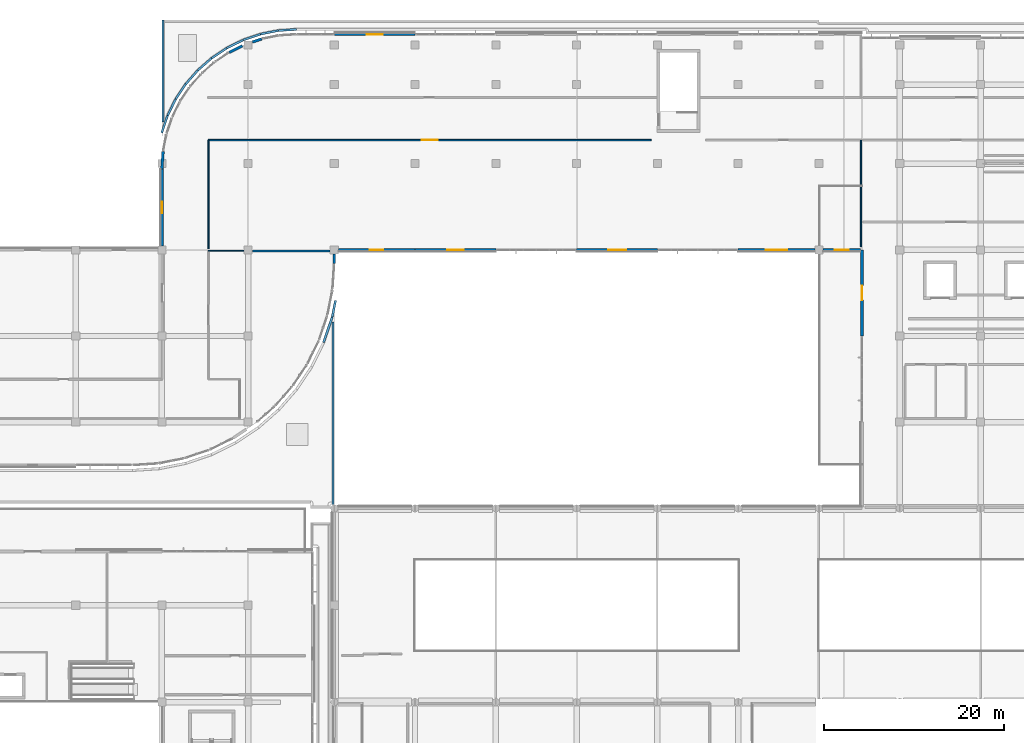
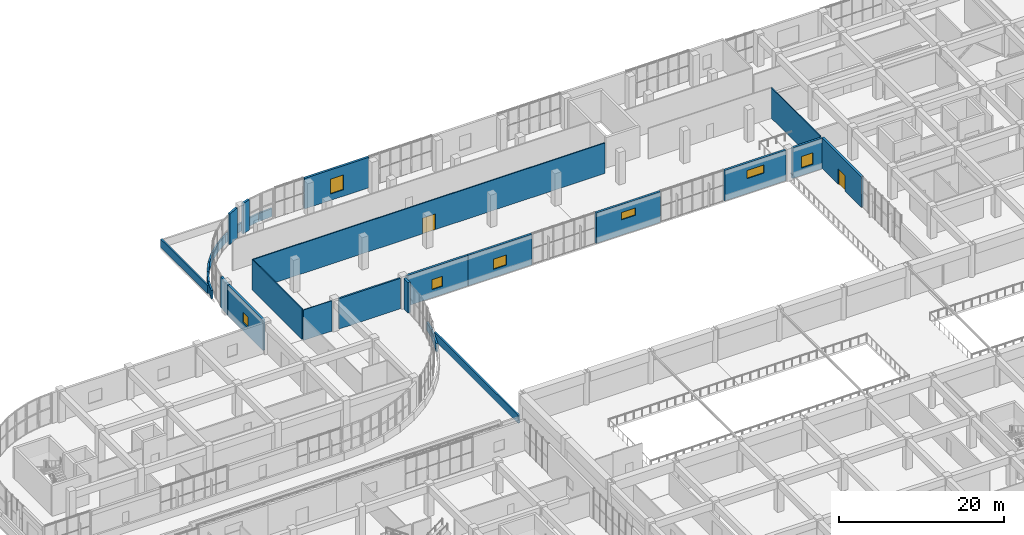
# One storey, part 69 of 96: 31 walls, 7 windows, 2 doors, 9 openings.
"""IFC4 building model written with IfcOpenShell, lengths in metres."""

from ifc_helpers import new_model, si_unit, direction, frame, frame_2d, origin, place, context, subcontext, project, spatial, rectangle, extrude, material, layer, layer_set, type_object, element, fill, save


model = new_model("IFC4")

# Units and contexts
model_context = context("Model", 3, precision=1e-05, world=origin(), true_north=direction((0.0, 1.0)))
body_context = subcontext(model_context, "Body", "Model", "MODEL_VIEW")
ifc_project = project(units=[si_unit("LENGTHUNIT", "METRE"), si_unit("AREAUNIT", "SQUARE_METRE"), si_unit("VOLUMEUNIT", "CUBIC_METRE"), si_unit("PLANEANGLEUNIT", "RADIAN"), si_unit("MASSUNIT", "GRAM", prefix="KILO")], contexts=[model_context])

# Site, building, storey
site_placement = place(None, origin())
site = spatial("IfcSite", under=ifc_project, at=site_placement, CompositionType="ELEMENT")
building_placement = place(site_placement, origin())
building = spatial("IfcBuilding", under=site, at=building_placement, Name="Cendralis Terraced Arcade", CompositionType="ELEMENT")
storey_placement = place(building_placement, frame((0.0, 0.0, 10.199951171875)))
storey = spatial("IfcBuildingStorey", under=building, at=storey_placement, Name="L02", CompositionType="ELEMENT", Elevation=10.199951171875)

# Wall
ifc_material_1 = material(Name="Autoclaved aerated concrete blockwork", Category="masonry")
ifc_layer_1 = layer(ifc_material_1, 0.22802734375, Name="WL-ACOU-228")
ifc_layer_set_1 = layer_set([ifc_layer_1], Name="Autoclaved aerated concrete blockwork")
wall_type_1 = type_object("IfcWallType", Name="WL-ACOU-228", PredefinedType="PARTITIONING", material=ifc_layer_set_1)
wall_1_placement = place(storey_placement, frame((58.070068359375, 88.679931640625, 0.0), z_axis=(0.0, 0.0, 1.0), x_axis=(1.0, 0.0, 0.0)))
element("IfcWall", 1, at=wall_1_placement, inside=storey, type_object=wall_type_1, Name="Interior Partition Wall IW-L02-0462", PredefinedType="PARTITIONING", context=body_context, shape_type="SweptSolid", body=[
    extrude(rectangle(XDim=8.659912109375, YDim=0.22802734375, at=frame_2d((4.330078125, 0.0))), origin(), (0.0, 0.0, 1.0), 4.51513671875),
])

# Wall, opening, door
ifc_material_2 = material(Name="Precast concrete f'c 40 MPa", Category="concrete")
ifc_layer_2 = layer(ifc_material_2, 0.300048828125, Name="WL-EXT-GRC-300")
ifc_layer_set_2 = layer_set([ifc_layer_2], Name="Precast concrete f'c 40 MPa")
wall_type_2 = type_object("IfcWallType", Name="WL-EXT-GRC-300", PredefinedType="SOLIDWALL", material=ifc_layer_set_2)
wall_2_placement = place(storey_placement, frame((126.0, 79.199951171875, 0.0), z_axis=(0.0, 0.0, 1.0), x_axis=(0.0, 1.0, 0.0)))
wall_2 = element("IfcWall", 2, at=wall_2_placement, inside=storey, type_object=wall_type_2, Name="Exterior Architectural Wall EW-L02-0161", PredefinedType="SOLIDWALL", context=body_context, shape_type="SweptSolid", body=[
    extrude(rectangle(XDim=9.60009765625, YDim=0.300048828125, at=frame_2d((4.800048828125, 0.0))), origin(), (0.0, 0.0, 1.0), 4.51513671875),
])
opening_1_placement = place(wall_2_placement, frame((4.0, 0.0, 0.0)))
opening_1 = element("IfcOpeningElement", 3, at=opening_1_placement, cuts=wall_2, Name="Opening TD-L02-03", PredefinedType="OPENING", context=body_context, shape_type="SweptSolid", body=[
    extrude(rectangle(XDim=1.60009765625, YDim=2.300048828125, at=frame_2d((0.800048828125, 1.14990234375))), frame((0.0, 0.162109375, 0.0), z_axis=(0.0, -1.0, 0.0), x_axis=(1.0, 0.0, 0.0)), (0.0, 0.0, 1.0), 0.323974609375),
])
ifc_material_3 = material(Name="Powder-coated thermally broken aluminium and glass", Category="aluminium")
door_type_1 = type_object("IfcDoorType", Name="ED-TER-1600x2300", OperationType="DOUBLE_DOOR_SINGLE_SWING", PredefinedType="DOOR", material=ifc_material_3)
door_1_placement = place(opening_1_placement, origin())
door_1 = element("IfcDoor", 4, at=door_1_placement, inside=storey, type_object=door_type_1, Name="Planted Terrace Access Door TD-L02-03", OperationType="DOUBLE_DOOR_SINGLE_SWING", OverallHeight=2.300048828125, OverallWidth=1.60009765625, PredefinedType="DOOR", context=body_context, shape_type="SweptSolid", body=[
    extrude(rectangle(XDim=1.60009765625, YDim=2.300048828125, at=frame_2d((0.800048828125, 1.14990234375))), frame((0.0, 0.02490234375, 0.0), z_axis=(0.0, -1.0, 0.0), x_axis=(1.0, 0.0, 0.0)), (0.0, 0.0, 1.0), 0.050048828125),
])
fill(opening_1, door_1)

# Wall, opening, window
wall_3_placement = place(storey_placement, frame((125.830078125, 88.800048828125, 0.0), z_axis=(0.0, 0.0, 1.0), x_axis=(-1.0, 0.0, 0.0)))
wall_3 = element("IfcWall", 5, at=wall_3_placement, inside=storey, type_object=wall_type_2, Name="Exterior Architectural Wall EW-L02-0162", PredefinedType="SOLIDWALL", context=body_context, shape_type="SweptSolid", body=[
    extrude(rectangle(XDim=4.18212890625, YDim=0.300048828125, at=frame_2d((2.091064453125, 0.0))), origin(), (0.0, 0.0, 1.0), 4.51513671875),
])
opening_2_placement = place(wall_3_placement, frame((1.291015625, 0.0, 1.10009765625)))
opening_2 = element("IfcOpeningElement", 6, at=opening_2_placement, cuts=wall_3, Name="Opening W-28", PredefinedType="OPENING", context=body_context, shape_type="SweptSolid", body=[
    extrude(rectangle(XDim=1.60009765625, YDim=1.699951171875, at=frame_2d((0.800048828125, 0.85009765625))), frame((0.0, 0.162109375, 0.0), z_axis=(0.0, -1.0, 0.0), x_axis=(1.0, 0.0, 0.0)), (0.0, 0.0, 1.0), 0.323974609375),
])
ifc_material_4 = material(Name="Tempered solar control laminated glass", Category="glass")
window_type_1 = type_object("IfcWindowType", Name="WN-F3-1600x1700", PartitioningType="SINGLE_PANEL", PredefinedType="WINDOW", material=ifc_material_4)
window_1_placement = place(opening_2_placement, origin())
window_1 = element("IfcWindow", 7, at=window_1_placement, inside=storey, type_object=window_type_1, Name="Exterior Solar-Control Window WN-L02-0103", OverallHeight=1.699951171875, OverallWidth=1.60009765625, PartitioningType="SINGLE_PANEL", PredefinedType="WINDOW", context=body_context, shape_type="SweptSolid", body=[
    extrude(rectangle(XDim=1.60009765625, YDim=1.699951171875, at=frame_2d((0.800048828125, 0.85009765625))), frame((0.0, 0.030029296875, 0.0), z_axis=(0.0, -1.0, 0.0), x_axis=(1.0, 0.0, 0.0)), (0.0, 0.0, 1.0), 0.06005859375),
])
fill(opening_2, window_1)

wall_4_placement = place(storey_placement, frame((120.751953125, 88.800048828125, 0.0), z_axis=(0.0, 0.0, 1.0), x_axis=(-1.0, 0.0, 0.0)))
wall_4 = element("IfcWall", 8, at=wall_4_placement, inside=storey, type_object=wall_type_2, Name="Exterior Architectural Wall EW-L02-0163", PredefinedType="SOLIDWALL", context=body_context, shape_type="SweptSolid", body=[
    extrude(rectangle(XDim=8.552001953125, YDim=0.300048828125, at=frame_2d((4.27587890625, 0.0))), origin(), (0.0, 0.0, 1.0), 4.51513671875),
])
opening_3_placement = place(wall_4_placement, frame((3.075927734375, 0.0, 2.199951171875)))
opening_3 = element("IfcOpeningElement", 9, at=opening_3_placement, cuts=wall_4, Name="Opening W-17", PredefinedType="OPENING", context=body_context, shape_type="SweptSolid", body=[
    extrude(rectangle(XDim=2.39990234375, YDim=1.199951171875, at=frame_2d((1.199951171875, 0.60009765625))), frame((0.0, 0.162109375, 0.0), z_axis=(0.0, -1.0, 0.0), x_axis=(1.0, 0.0, 0.0)), (0.0, 0.0, 1.0), 0.323974609375),
])
window_type_2 = type_object("IfcWindowType", Name="WN-CL-2400x1200", PartitioningType="SINGLE_PANEL", PredefinedType="WINDOW", material=ifc_material_4)
window_2_placement = place(opening_3_placement, origin())
window_2 = element("IfcWindow", 10, at=window_2_placement, inside=storey, type_object=window_type_2, Name="Exterior Solar-Control Window WN-L02-0104", OverallHeight=1.199951171875, OverallWidth=2.39990234375, PartitioningType="SINGLE_PANEL", PredefinedType="WINDOW", context=body_context, shape_type="SweptSolid", body=[
    extrude(rectangle(XDim=2.39990234375, YDim=1.199951171875, at=frame_2d((1.199951171875, 0.60009765625))), frame((0.0, 0.030029296875, 0.0), z_axis=(0.0, -1.0, 0.0), x_axis=(1.0, 0.0, 0.0)), (0.0, 0.0, 1.0), 0.06005859375),
])
fill(opening_3, window_2)

wall_5_placement = place(storey_placement, frame((103.199951171875, 88.800048828125, 0.0), z_axis=(0.0, 0.0, 1.0), x_axis=(-1.0, 0.0, 0.0)))
wall_5 = element("IfcWall", 11, at=wall_5_placement, inside=storey, type_object=wall_type_2, Name="Exterior Architectural Wall EW-L02-0164", PredefinedType="SOLIDWALL", context=body_context, shape_type="SweptSolid", body=[
    extrude(rectangle(XDim=9.0, YDim=0.300048828125, at=frame_2d((4.5, 0.0))), origin(), (0.0, 0.0, 1.0), 4.51513671875),
])
opening_4_placement = place(wall_5_placement, frame((3.5, 0.0, 2.25)))
opening_4 = element("IfcOpeningElement", 12, at=opening_4_placement, cuts=wall_5, Name="Opening W-18", PredefinedType="OPENING", context=body_context, shape_type="SweptSolid", body=[
    extrude(rectangle(XDim=2.0, YDim=1.10009765625, at=frame_2d((1.0, 0.550048828125))), frame((0.0, 0.162109375, 0.0), z_axis=(0.0, -1.0, 0.0), x_axis=(1.0, 0.0, 0.0)), (0.0, 0.0, 1.0), 0.323974609375),
])
window_type_3 = type_object("IfcWindowType", Name="WN-CL-2000x1100", PartitioningType="SINGLE_PANEL", PredefinedType="WINDOW", material=ifc_material_4)
window_3_placement = place(opening_4_placement, origin())
window_3 = element("IfcWindow", 13, at=window_3_placement, inside=storey, type_object=window_type_3, Name="Exterior Solar-Control Window WN-L02-0105", OverallHeight=1.10009765625, OverallWidth=2.0, PartitioningType="SINGLE_PANEL", PredefinedType="WINDOW", context=body_context, shape_type="SweptSolid", body=[
    extrude(rectangle(XDim=2.0, YDim=1.10009765625, at=frame_2d((1.0, 0.550048828125))), frame((0.0, 0.030029296875, 0.0), z_axis=(0.0, -1.0, 0.0), x_axis=(1.0, 0.0, 0.0)), (0.0, 0.0, 1.0), 0.06005859375),
])
fill(opening_4, window_3)

wall_6_placement = place(storey_placement, frame((85.199951171875, 88.800048828125, 0.0), z_axis=(0.0, 0.0, 1.0), x_axis=(-1.0, 0.0, 0.0)))
wall_6 = element("IfcWall", 14, at=wall_6_placement, inside=storey, type_object=wall_type_2, Name="Exterior Architectural Wall EW-L02-0165", PredefinedType="SOLIDWALL", context=body_context, shape_type="SweptSolid", body=[
    extrude(rectangle(XDim=9.0, YDim=0.300048828125, at=frame_2d((4.5, 0.0))), origin(), (0.0, 0.0, 1.0), 4.51513671875),
])
opening_5_placement = place(wall_6_placement, frame((3.60009765625, 0.0, 1.199951171875)))
opening_5 = element("IfcOpeningElement", 15, at=opening_5_placement, cuts=wall_6, Name="Opening W-19", PredefinedType="OPENING", context=body_context, shape_type="SweptSolid", body=[
    extrude(rectangle(XDim=1.800048828125, YDim=1.5, at=frame_2d((0.89990234375, 0.75))), frame((0.0, 0.162109375, 0.0), z_axis=(0.0, -1.0, 0.0), x_axis=(1.0, 0.0, 0.0)), (0.0, 0.0, 1.0), 0.323974609375),
])
window_type_4 = type_object("IfcWindowType", Name="WN-BOH-1800x1500", PartitioningType="SINGLE_PANEL", PredefinedType="WINDOW", material=ifc_material_4)
window_4_placement = place(opening_5_placement, origin())
window_4 = element("IfcWindow", 16, at=window_4_placement, inside=storey, type_object=window_type_4, Name="Exterior Solar-Control Window WN-L02-0106", OverallHeight=1.5, OverallWidth=1.800048828125, PartitioningType="SINGLE_PANEL", PredefinedType="WINDOW", context=body_context, shape_type="SweptSolid", body=[
    extrude(rectangle(XDim=1.800048828125, YDim=1.5, at=frame_2d((0.89990234375, 0.75))), frame((0.0, 0.030029296875, 0.0), z_axis=(0.0, -1.0, 0.0), x_axis=(1.0, 0.0, 0.0)), (0.0, 0.0, 1.0), 0.06005859375),
])
fill(opening_5, window_4)

wall_7_placement = place(storey_placement, frame((76.199951171875, 88.800048828125, 0.0), z_axis=(0.0, 0.0, 1.0), x_axis=(-1.0, 0.0, 0.0)))
wall_7 = element("IfcWall", 17, at=wall_7_placement, inside=storey, type_object=wall_type_2, Name="Exterior Architectural Wall EW-L02-0166", PredefinedType="SOLIDWALL", context=body_context, shape_type="SweptSolid", body=[
    extrude(rectangle(XDim=8.552001953125, YDim=0.300048828125, at=frame_2d((4.27587890625, 0.0))), origin(), (0.0, 0.0, 1.0), 4.51513671875),
])
opening_6_placement = place(wall_7_placement, frame((3.52587890625, 0.0, 1.199951171875)))
opening_6 = element("IfcOpeningElement", 18, at=opening_6_placement, cuts=wall_7, Name="Opening W-20", PredefinedType="OPENING", context=body_context, shape_type="SweptSolid", body=[
    extrude(rectangle(XDim=1.5, YDim=1.5, at=frame_2d((0.75, 0.75))), frame((0.0, 0.162109375, 0.0), z_axis=(0.0, -1.0, 0.0), x_axis=(1.0, 0.0, 0.0)), (0.0, 0.0, 1.0), 0.323974609375),
])
window_type_5 = type_object("IfcWindowType", Name="WN-BOH-1500x1500", PartitioningType="SINGLE_PANEL", PredefinedType="WINDOW", material=ifc_material_4)
window_5_placement = place(opening_6_placement, origin())
window_5 = element("IfcWindow", 19, at=window_5_placement, inside=storey, type_object=window_type_5, Name="Exterior Solar-Control Window WN-L02-0107", OverallHeight=1.5, OverallWidth=1.5, PartitioningType="SINGLE_PANEL", PredefinedType="WINDOW", context=body_context, shape_type="SweptSolid", body=[
    extrude(rectangle(XDim=1.5, YDim=1.5, at=frame_2d((0.75, 0.75))), frame((0.0, 0.030029296875, 0.0), z_axis=(0.0, -1.0, 0.0), x_axis=(1.0, 0.0, 0.0)), (0.0, 0.0, 1.0), 0.06005859375),
])
fill(opening_6, window_5)

# Wall
wall_8_placement = place(storey_placement, frame((67.199951171875, 88.35205078125, 0.0), z_axis=(0.0, 0.0, 1.0), x_axis=(0.0, -1.0, 0.0)))
element("IfcWall", 20, at=wall_8_placement, inside=storey, type_object=wall_type_2, Name="Exterior Architectural Wall EW-L02-0167", PredefinedType="SOLIDWALL", context=body_context, shape_type="SweptSolid", body=[
    extrude(rectangle(XDim=1.052001953125, YDim=0.300048828125, at=frame_2d((0.52587890625, 0.0))), origin(), (0.0, 0.0, 1.0), 4.51513671875),
])

# Wall, opening, window
wall_9_placement = place(storey_placement, frame((48.0, 89.248046875, 0.0), z_axis=(0.0, 0.0, 1.0), x_axis=(0.0, 1.0, 0.0)))
wall_9 = element("IfcWall", 21, at=wall_9_placement, inside=storey, type_object=wall_type_2, Name="Exterior Architectural Wall EW-L02-0176", PredefinedType="SOLIDWALL", context=body_context, shape_type="SweptSolid", body=[
    extrude(rectangle(XDim=8.552001953125, YDim=0.300048828125, at=frame_2d((4.27587890625, 0.0))), origin(), (0.0, 0.0, 1.0), 4.51513671875),
])
opening_7_placement = place(wall_9_placement, frame((3.65087890625, 0.0, 1.199951171875)))
opening_7 = element("IfcOpeningElement", 22, at=opening_7_placement, cuts=wall_9, Name="Opening W-30", PredefinedType="OPENING", context=body_context, shape_type="SweptSolid", body=[
    extrude(rectangle(XDim=1.25, YDim=1.550048828125, at=frame_2d((0.625, 0.77490234375))), frame((0.0, 0.162109375, 0.0), z_axis=(0.0, -1.0, 0.0), x_axis=(1.0, 0.0, 0.0)), (0.0, 0.0, 1.0), 0.323974609375),
])
window_type_6 = type_object("IfcWindowType", Name="WN-F3-1250x1550", PartitioningType="SINGLE_PANEL", PredefinedType="WINDOW", material=ifc_material_4)
window_6_placement = place(opening_7_placement, origin())
window_6 = element("IfcWindow", 23, at=window_6_placement, inside=storey, type_object=window_type_6, Name="Exterior Solar-Control Window WN-L02-0114", OverallHeight=1.550048828125, OverallWidth=1.25, PartitioningType="SINGLE_PANEL", PredefinedType="WINDOW", context=body_context, shape_type="SweptSolid", body=[
    extrude(rectangle(XDim=1.25, YDim=1.550048828125, at=frame_2d((0.625, 0.77490234375))), frame((0.0, 0.030029296875, 0.0), z_axis=(0.0, -1.0, 0.0), x_axis=(1.0, 0.0, 0.0)), (0.0, 0.0, 1.0), 0.06005859375),
])
fill(opening_7, window_6)

# Walls
wall_10_placement = place(storey_placement, frame((48.0, 97.800048828125, 0.0), z_axis=(0.0, 0.0, 1.0), x_axis=(0.065453554619, 0.997855616904, 0.0)))
element("IfcWall", 24, at=wall_10_placement, inside=storey, type_object=wall_type_2, Name="Exterior Architectural Wall EW-L02-0177", PredefinedType="SOLIDWALL", context=body_context, shape_type="SweptSolid", body=[
    extrude(rectangle(XDim=1.9619140625, YDim=0.300048828125, at=frame_2d((0.98095703125, 0.0))), origin(), (0.0, 0.0, 1.0), 4.51513671875),
])
wall_11_placement = place(storey_placement, frame((55.5, 110.790283203125, 0.0), z_axis=(0.0, 0.0, 1.0), x_axis=(0.896853892001, 0.442326911234, 0.0)))
element("IfcWall", 25, at=wall_11_placement, inside=storey, type_object=wall_type_2, Name="Exterior Architectural Wall EW-L02-0178", PredefinedType="SOLIDWALL", context=body_context, shape_type="SweptSolid", body=[
    extrude(rectangle(XDim=1.640869140625, YDim=0.300048828125, at=frame_2d((0.8203125, 0.0))), origin(), (0.0, 0.0, 1.0), 4.51513671875),
])
wall_12_placement = place(storey_placement, frame((58.085693359375, 111.938720703125, 0.0), z_axis=(0.0, 0.0, 1.0), x_axis=(0.946989654792, 0.321264056061, 0.0)))
element("IfcWall", 26, at=wall_12_placement, inside=storey, type_object=wall_type_2, Name="Exterior Architectural Wall EW-L02-0179", PredefinedType="SOLIDWALL", context=body_context, shape_type="SweptSolid", body=[
    extrude(rectangle(XDim=1.08984375, YDim=0.300048828125, at=frame_2d((0.544921875, 0.0))), origin(), (0.0, 0.0, 1.0), 4.51513671875),
])

# Wall, opening, window
wall_13_placement = place(storey_placement, frame((67.199951171875, 112.800048828125, 0.0), z_axis=(0.0, 0.0, 1.0), x_axis=(1.0, 0.0, 0.0)))
wall_13 = element("IfcWall", 27, at=wall_13_placement, inside=storey, type_object=wall_type_2, Name="Exterior Architectural Wall EW-L02-0180", PredefinedType="SOLIDWALL", context=body_context, shape_type="SweptSolid", body=[
    extrude(rectangle(XDim=9.0, YDim=0.300048828125, at=frame_2d((4.5, 0.0))), origin(), (0.0, 0.0, 1.0), 4.51513671875),
])
opening_8_placement = place(wall_13_placement, frame((3.60009765625, 0.0, 0.949951171875)))
opening_8 = element("IfcOpeningElement", 28, at=opening_8_placement, cuts=wall_13, Name="Opening W-04", PredefinedType="OPENING", context=body_context, shape_type="SweptSolid", body=[
    extrude(rectangle(XDim=1.800048828125, YDim=2.199951171875, at=frame_2d((0.89990234375, 1.10009765625))), frame((0.0, 0.162109375, 0.0), z_axis=(0.0, -1.0, 0.0), x_axis=(1.0, 0.0, 0.0)), (0.0, 0.0, 1.0), 0.323974609375),
])
window_type_7 = type_object("IfcWindowType", Name="WN-F1-1800x2200", PartitioningType="SINGLE_PANEL", PredefinedType="WINDOW", material=ifc_material_4)
window_7_placement = place(opening_8_placement, origin())
window_7 = element("IfcWindow", 29, at=window_7_placement, inside=storey, type_object=window_type_7, Name="Exterior Solar-Control Window WN-L02-0115", OverallHeight=2.199951171875, OverallWidth=1.800048828125, PartitioningType="SINGLE_PANEL", PredefinedType="WINDOW", context=body_context, shape_type="SweptSolid", body=[
    extrude(rectangle(XDim=1.800048828125, YDim=2.199951171875, at=frame_2d((0.89990234375, 1.10009765625))), frame((0.0, 0.030029296875, 0.0), z_axis=(0.0, -1.0, 0.0), x_axis=(1.0, 0.0, 0.0)), (0.0, 0.0, 1.0), 0.06005859375),
])
fill(opening_8, window_7)

# Walls
ifc_layer_3 = layer(ifc_material_2, 0.22998046875, Name="WL-PAR-230")
ifc_layer_set_3 = layer_set([ifc_layer_3], Name="Precast concrete f'c 40 MPa")
wall_type_3 = type_object("IfcWallType", Name="WL-PAR-230", PredefinedType="PARAPET", material=ifc_layer_set_3)
wall_14_placement = place(storey_placement, frame((62.9775390625, 113.354736328125, 0.0), z_axis=(0.0, 0.0, 1.0), x_axis=(-0.997856296776, -0.06544318898, 0.0)))
element("IfcWall", 30, at=wall_14_placement, inside=storey, type_object=wall_type_3, Name="Precast Concrete Roof Parapet Wall PAR-L02-084", PredefinedType="PARAPET", context=body_context, shape_type="SweptSolid", body=[
    extrude(rectangle(XDim=2.00341796875, YDim=0.22998046875, at=frame_2d((1.001708984375, 0.0))), origin(), (0.0, 0.0, 1.0), 1.199951171875),
])
for number, where, z_axis, x_axis, name in (
    (31, (60.9609375, 113.221435546875, 0.0), (0.0, 0.0, 1.0), (-0.980784952156, -0.195091972221, 0.0), "Precast Concrete Roof Parapet Wall PAR-L02-085"),
    (32, (58.96533203125, 112.8232421875, 0.0), (0.0, 0.0, 1.0), (-0.946926081633, -0.321451389675, 0.0), "Precast Concrete Roof Parapet Wall PAR-L02-086"),
):
    element("IfcWall", number, at=place(storey_placement, frame(where, z_axis=z_axis, x_axis=x_axis)), inside=storey, type_object=wall_type_3, Name=name, PredefinedType="PARAPET", context=body_context, shape_type="SweptSolid", body=[
        extrude(rectangle(XDim=2.017333984375, YDim=0.22998046875, at=frame_2d((1.0087890625, 0.0))), origin(), (0.0, 0.0, 1.0), 1.199951171875),
    ])
for number, where, z_axis, x_axis, name in (
    (33, (57.038818359375, 112.168212890625, 0.0), (0.0, 0.0, 1.0), (-0.896834695497, -0.442365831584, 0.0), "Precast Concrete Roof Parapet Wall PAR-L02-087"),
    (34, (55.214599609375, 111.26708984375, 0.0), (0.0, 0.0, 1.0), (-0.831491262241, -0.555537830231, 0.0), "Precast Concrete Roof Parapet Wall PAR-L02-088"),
):
    element("IfcWall", number, at=place(storey_placement, frame(where, z_axis=z_axis, x_axis=x_axis)), inside=storey, type_object=wall_type_3, Name=name, PredefinedType="PARAPET", context=body_context, shape_type="SweptSolid", body=[
        extrude(rectangle(XDim=2.01708984375, YDim=0.22998046875, at=frame_2d((1.008544921875, 0.0))), origin(), (0.0, 0.0, 1.0), 1.199951171875),
    ])
for number, where, z_axis, x_axis, name in (
    (35, (53.5234375, 110.1357421875, 0.0), (0.0, 0.0, 1.0), (-0.751826475426, -0.659361017083, 0.0), "Precast Concrete Roof Parapet Wall PAR-L02-089"),
    (36, (51.994384765625, 108.793212890625, 0.0), (0.0, 0.0, 1.0), (-0.659361017083, -0.751826475426, 0.0), "Precast Concrete Roof Parapet Wall PAR-L02-090"),
):
    element("IfcWall", number, at=place(storey_placement, frame(where, z_axis=z_axis, x_axis=x_axis)), inside=storey, type_object=wall_type_3, Name=name, PredefinedType="PARAPET", context=body_context, shape_type="SweptSolid", body=[
        extrude(rectangle(XDim=2.017333984375, YDim=0.22998046875, at=frame_2d((1.0087890625, 0.0))), origin(), (0.0, 0.0, 1.0), 1.199951171875),
    ])
wall_15_placement = place(storey_placement, frame((50.653564453125, 107.2626953125, 0.0), z_axis=(0.0, 0.0, 1.0), x_axis=(-0.555537830231, -0.831491262241, 0.0)))
element("IfcWall", 37, at=wall_15_placement, inside=storey, type_object=wall_type_3, Name="Precast Concrete Roof Parapet Wall PAR-L02-091", PredefinedType="PARAPET", context=body_context, shape_type="SweptSolid", body=[
    extrude(rectangle(XDim=2.01708984375, YDim=0.22998046875, at=frame_2d((1.008544921875, 0.0))), origin(), (0.0, 0.0, 1.0), 1.199951171875),
])
wall_16_placement = place(storey_placement, frame((49.52392578125, 105.5703125, 0.0), z_axis=(0.0, 0.0, 1.0), x_axis=(-0.442220471331, -0.89690638014, 0.0)))
element("IfcWall", 38, at=wall_16_placement, inside=storey, type_object=wall_type_3, Name="Precast Concrete Roof Parapet Wall PAR-L02-092", PredefinedType="PARAPET", context=body_context, shape_type="SweptSolid", body=[
    extrude(rectangle(XDim=2.017333984375, YDim=0.22998046875, at=frame_2d((1.0087890625, 0.0))), origin(), (0.0, 0.0, 1.0), 1.199951171875),
])
wall_17_placement = place(storey_placement, frame((48.625, 103.744873046875, 0.0), z_axis=(0.0, 0.0, 1.0), x_axis=(-0.321342860941, -0.946962916762, 0.0)))
element("IfcWall", 39, at=wall_17_placement, inside=storey, type_object=wall_type_3, Name="Precast Concrete Roof Parapet Wall PAR-L02-093", PredefinedType="PARAPET", context=body_context, shape_type="SweptSolid", body=[
    extrude(rectangle(XDim=2.01708984375, YDim=0.22998046875, at=frame_2d((1.008544921875, 0.0))), origin(), (0.0, 0.0, 1.0), 1.199951171875),
])
wall_18_placement = place(storey_placement, frame((48.135009765625, 103.017578125, 0.0), z_axis=(0.0, 0.0, 1.0), x_axis=(0.0, 1.0, 0.0)))
element("IfcWall", 40, at=wall_18_placement, inside=storey, type_object=wall_type_3, Name="Precast Concrete Roof Parapet Wall PAR-L02-094", PredefinedType="PARAPET", context=body_context, shape_type="SweptSolid", body=[
    extrude(rectangle(XDim=11.38232421875, YDim=0.22998046875, at=frame_2d((5.691162109375, 0.0))), origin(), (0.0, 0.0, 1.0), 1.199951171875),
])
ifc_layer_4 = layer(ifc_material_2, 0.25, Name="WL-PAR-250")
ifc_layer_set_4 = layer_set([ifc_layer_4], Name="Precast concrete f'c 40 MPa")
wall_type_4 = type_object("IfcWallType", Name="WL-PAR-250", PredefinedType="PARAPET", material=ifc_layer_set_4)
wall_19_placement = place(storey_placement, frame((66.013427734375, 78.48193359375, 0.0), z_axis=(0.0, 0.0, 1.0), x_axis=(0.321474980796, 0.946918072867, 0.0)))
element("IfcWall", 41, at=wall_19_placement, inside=storey, type_object=wall_type_4, Name="Precast Concrete Roof Parapet Wall PAR-L02-028", PredefinedType="PARAPET", context=body_context, shape_type="SweptSolid", body=[
    extrude(rectangle(XDim=2.998291015625, YDim=0.25, at=frame_2d((1.4990234375, 0.0))), origin(), (0.0, 0.0, 1.0), 1.199951171875),
])
wall_20_placement = place(storey_placement, frame((66.982177734375, 81.33935546875, 0.0), z_axis=(0.0, 0.0, 1.0), x_axis=(0.195073259757, 0.980788674143, 0.0)))
element("IfcWall", 42, at=wall_20_placement, inside=storey, type_object=wall_type_4, Name="Precast Concrete Roof Parapet Wall PAR-L02-029", PredefinedType="PARAPET", context=body_context, shape_type="SweptSolid", body=[
    extrude(rectangle(XDim=1.845947265625, YDim=0.25, at=frame_2d((0.9228515625, 0.0))), origin(), (0.0, 0.0, 1.0), 1.199951171875),
])
wall_21_placement = place(storey_placement, frame((67.054931640625, 80.773193359375, 0.0), z_axis=(0.0, 0.0, 1.0), x_axis=(0.0, -1.0, 0.0)))
element("IfcWall", 43, at=wall_21_placement, inside=storey, type_object=wall_type_4, Name="Precast Concrete Roof Parapet Wall PAR-L02-030", PredefinedType="PARAPET", context=body_context, shape_type="SweptSolid", body=[
    extrude(rectangle(XDim=20.353271484375, YDim=0.25, at=frame_2d((10.1767578125, 0.0))), origin(), (0.0, 0.0, 1.0), 1.199951171875),
])
ifc_material_5 = material(Name="Gypsum plasterboard acoustic partition", Category="concrete")
ifc_layer_5 = layer(ifc_material_5, 0.117919921875, Name="WL-PART-118")
ifc_layer_set_5 = layer_set([ifc_layer_5], Name="Gypsum plasterboard acoustic partition")
wall_type_5 = type_object("IfcWallType", Name="WL-PART-118", PredefinedType="PARTITIONING", material=ifc_layer_set_5)
wall_22_placement = place(storey_placement, frame((53.179931640625, 88.679931640625, 0.0), z_axis=(0.0, 0.0, 1.0), x_axis=(1.0, 0.0, 0.0)))
element("IfcWall", 44, at=wall_22_placement, inside=storey, type_object=wall_type_5, Name="Interior Partition Wall IW-L02-0458", PredefinedType="PARTITIONING", context=body_context, shape_type="SweptSolid", body=[
    extrude(rectangle(XDim=3.949951171875, YDim=0.117919921875, at=frame_2d((1.97509765625, 0.0))), origin(), (0.0, 0.0, 1.0), 4.51513671875),
])
ifc_layer_6 = layer(ifc_material_5, 0.14208984375, Name="WL-PART-142")
ifc_layer_set_6 = layer_set([ifc_layer_6], Name="Gypsum plasterboard acoustic partition")
wall_type_6 = type_object("IfcWallType", Name="WL-PART-142", PredefinedType="PARTITIONING", material=ifc_layer_set_6)
wall_23_placement = place(storey_placement, frame((125.8798828125, 101.02001953125, 0.0), z_axis=(0.0, 0.0, 1.0), x_axis=(0.0, -1.0, 0.0)))
element("IfcWall", 45, at=wall_23_placement, inside=storey, type_object=wall_type_6, Name="Interior Partition Wall IW-L02-0475", PredefinedType="PARTITIONING", context=body_context, shape_type="SweptSolid", body=[
    extrude(rectangle(XDim=11.880126953125, YDim=0.14208984375, at=frame_2d((5.93994140625, 0.0))), origin(), (0.0, 0.0, 1.0), 4.51513671875),
])
ifc_layer_7 = layer(ifc_material_5, 0.14501953125, Name="WL-PART-145")
ifc_layer_set_7 = layer_set([ifc_layer_7], Name="Gypsum plasterboard acoustic partition")
wall_type_7 = type_object("IfcWallType", Name="WL-PART-145", PredefinedType="PARTITIONING", material=ifc_layer_set_7)
wall_24_placement = place(storey_placement, frame((53.179931640625, 88.919921875, 0.0), z_axis=(0.0, 0.0, 1.0), x_axis=(0.0, 1.0, 0.0)))
element("IfcWall", 46, at=wall_24_placement, inside=storey, type_object=wall_type_7, Name="Interior Partition Wall IW-L02-0474", PredefinedType="PARTITIONING", context=body_context, shape_type="SweptSolid", body=[
    extrude(rectangle(XDim=12.10009765625, YDim=0.14501953125, at=frame_2d((6.050048828125, 0.0))), origin(), (0.0, 0.0, 1.0), 4.51513671875),
])

# Wall, opening, door
ifc_layer_8 = layer(ifc_material_5, 0.154052734375, Name="WL-PART-154")
ifc_layer_set_8 = layer_set([ifc_layer_8], Name="Gypsum plasterboard acoustic partition")
wall_type_8 = type_object("IfcWallType", Name="WL-PART-154", PredefinedType="PARTITIONING", material=ifc_layer_set_8)
wall_25_placement = place(storey_placement, frame((53.179931640625, 101.02001953125, 0.0), z_axis=(0.0, 0.0, 1.0), x_axis=(1.0, 0.0, 0.0)))
wall_25 = element("IfcWall", 47, at=wall_25_placement, inside=storey, type_object=wall_type_8, Name="Interior Partition Wall IW-L02-0472", PredefinedType="PARTITIONING", context=body_context, shape_type="SweptSolid", body=[
    extrude(rectangle(XDim=49.3310546875, YDim=0.154052734375, at=frame_2d((24.66552734375, 0.0))), origin(), (0.0, 0.0, 1.0), 4.51513671875),
])
opening_9_placement = place(wall_25_placement, frame((23.775390625, 0.0, 0.0)))
opening_9 = element("IfcOpeningElement", 48, at=opening_9_placement, cuts=wall_25, Name="Opening D-L02-129", PredefinedType="OPENING", context=body_context, shape_type="SweptSolid", body=[
    extrude(rectangle(XDim=1.780029296875, YDim=2.320068359375, at=frame_2d((0.89013671875, 1.16015625))), frame((0.0, 0.0888671875, 0.0), z_axis=(0.0, -1.0, 0.0), x_axis=(1.0, 0.0, 0.0)), (0.0, 0.0, 1.0), 0.177978515625),
])
ifc_material_6 = material(Name="Solid core Andean oak veneer door leaf", Category="aluminium")
door_type_2 = type_object("IfcDoorType", Name="ID-DEP-1780x2320", OperationType="DOUBLE_DOOR_SINGLE_SWING", PredefinedType="DOOR", material=ifc_material_6)
door_2_placement = place(opening_9_placement, origin())
door_2 = element("IfcDoor", 49, at=door_2_placement, inside=storey, type_object=door_type_2, Name="Lighting and Interior Textile Showroom Door D-L02-129", OperationType="DOUBLE_DOOR_SINGLE_SWING", OverallHeight=2.320068359375, OverallWidth=1.780029296875, PredefinedType="DOOR", context=body_context, shape_type="SweptSolid", body=[
    extrude(rectangle(XDim=1.780029296875, YDim=2.320068359375, at=frame_2d((0.89013671875, 1.16015625))), frame((0.0, 0.02490234375, 0.0), z_axis=(0.0, -1.0, 0.0), x_axis=(1.0, 0.0, 0.0)), (0.0, 0.0, 1.0), 0.050048828125),
])
fill(opening_9, door_2)

save(model, "model.ifc")
